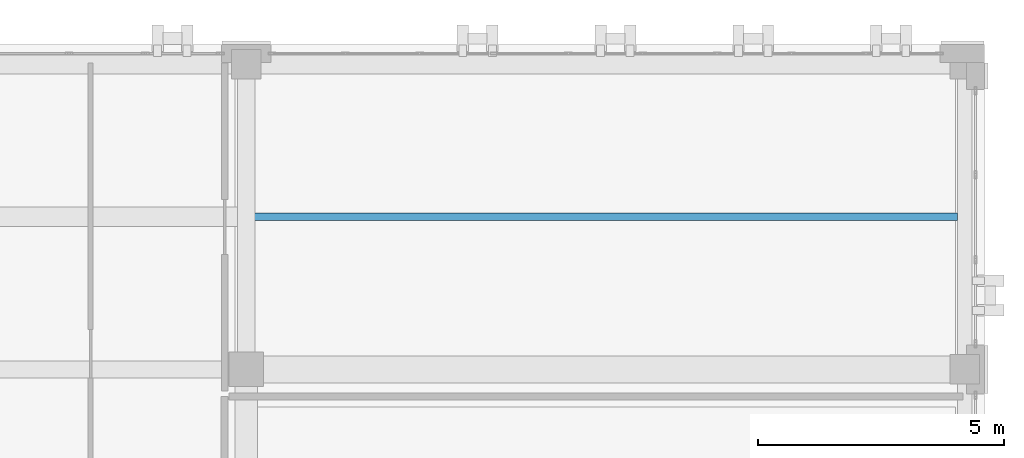
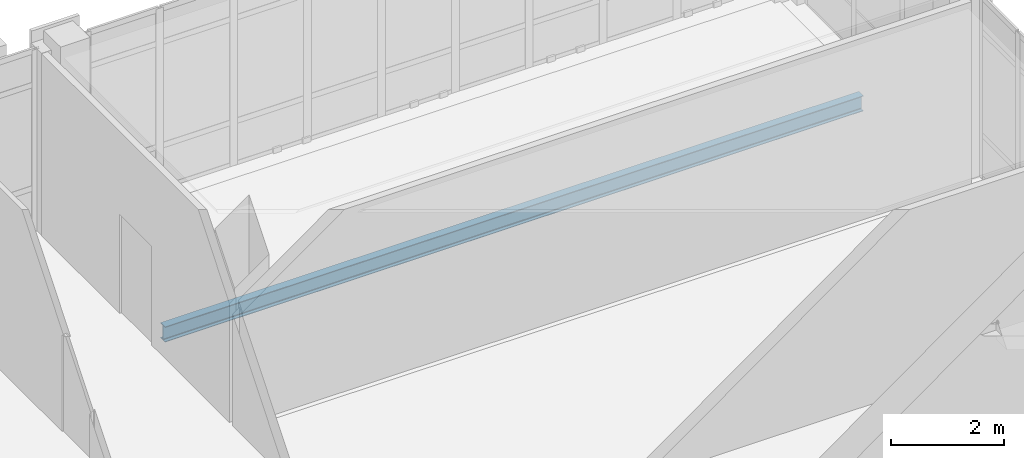
# One storey, part 42 of 77: 1 beam.
"""IFC4 building model written with IfcOpenShell, lengths in metres."""

from ifc_helpers import new_model, si_unit, direction, frame, origin, origin_2d, place, context, subcontext, project, spatial, i_section, extrude, material, material_profile, profile_set, type_object, element, save


model = new_model("IFC4")

# Units and contexts
model_context = context("Model", 3, precision=1e-05, world=origin(), true_north=direction((0.0, 1.0)))
body_context = subcontext(model_context, "Body", "Model", "MODEL_VIEW")
ifc_project = project(units=[si_unit("LENGTHUNIT", "METRE"), si_unit("AREAUNIT", "SQUARE_METRE"), si_unit("VOLUMEUNIT", "CUBIC_METRE"), si_unit("PLANEANGLEUNIT", "RADIAN"), si_unit("MASSUNIT", "GRAM", prefix="KILO")], contexts=[model_context])

# Site, building, storey
site_placement = place(None, origin())
site = spatial("IfcSite", under=ifc_project, at=site_placement, CompositionType="ELEMENT")
building_placement = place(site_placement, origin())
building = spatial("IfcBuilding", under=site, at=building_placement, Name="Qalavern Law Courts", CompositionType="ELEMENT")
storey_placement = place(building_placement, frame((0.0, 0.0, 27.0)))
storey = spatial("IfcBuildingStorey", under=building, at=storey_placement, Name="L06", CompositionType="ELEMENT", Elevation=27.0)

# Beam
ifc_material = material(Name="Steel S355", Category="steel")
ifc_material_profile = material_profile(ifc_material, i_section(OverallWidth=0.159912109375, OverallDepth=0.330078125, WebThickness=0.007568359375, FlangeThickness=0.011474609375, FilletRadius=0.01806640625, at=origin_2d()), Name="IPE 330")
ifc_profile_set = profile_set([ifc_material_profile], Name="Steel S355")
beam_type = type_object("IfcBeamType", Name="STR-JST-IPE330", PredefinedType="JOIST", material=ifc_profile_set)
beam_placement = place(storey_placement, frame((91.972900390625, 82.300048828125, -0.43505859375), z_axis=(1.0, 0.0, 0.0), x_axis=(0.0, 1.0, 0.0)))
element("IfcBeam", 1, at=beam_placement, inside=storey, type_object=beam_type, Name="V4 secondary joist 2.6.1 L06", PredefinedType="JOIST", context=body_context, shape_type="SweptSolid", body=[
    extrude(i_section(OverallWidth=0.159912109375, OverallDepth=0.330078125, WebThickness=0.007568359375, FlangeThickness=0.011474609375, FilletRadius=0.01806640625, at=origin_2d()), origin(), (0.0, 0.0, 1.0), 14.279052734375),
])

save(model, "model.ifc")
